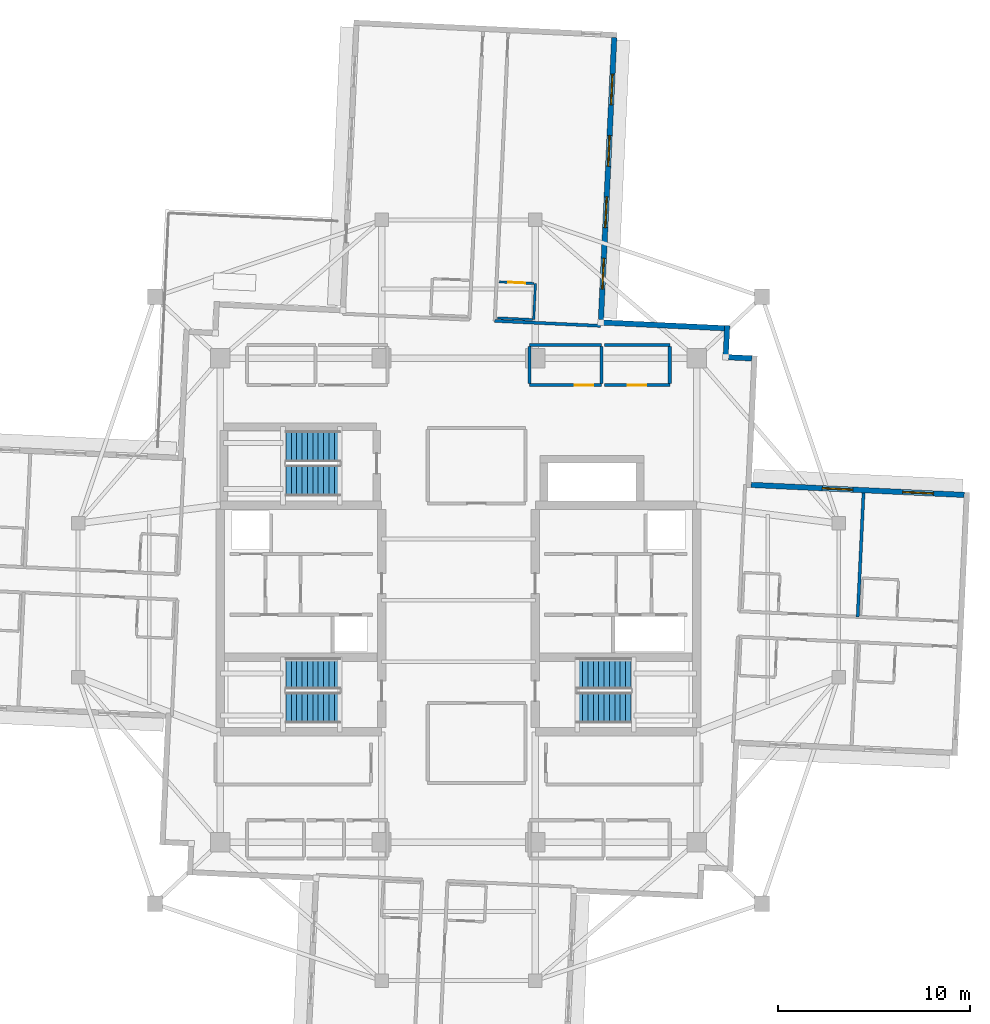
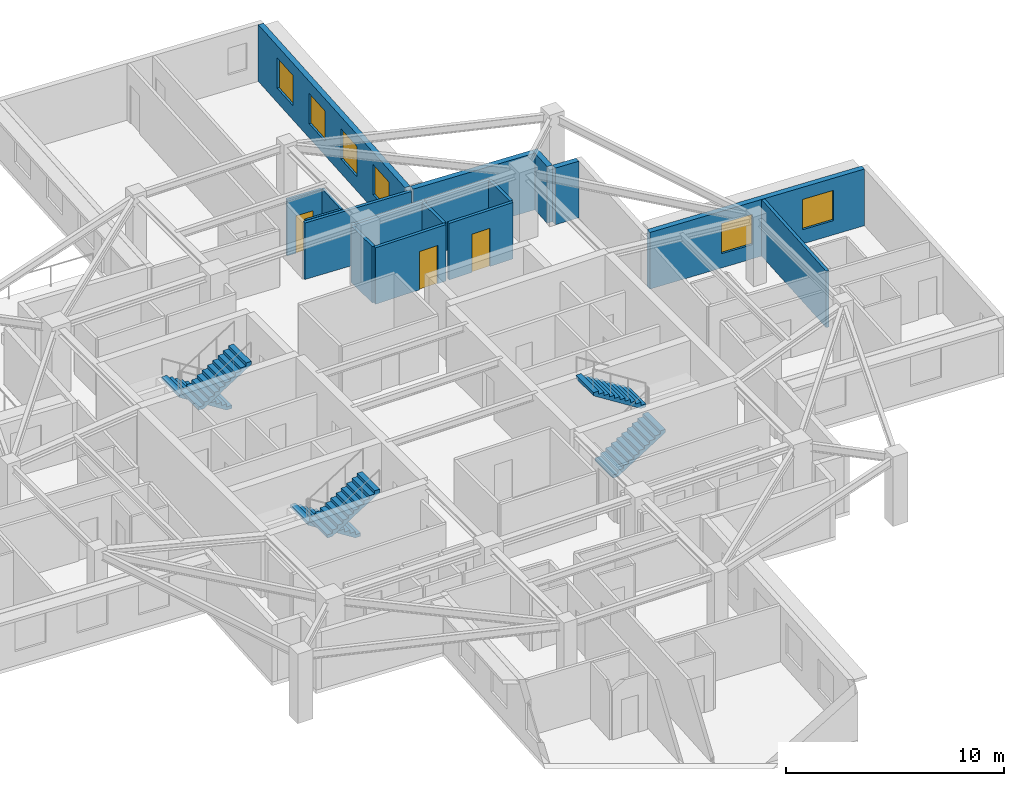
# One storey, part 8 of 12: 17 walls, 6 stair flights, 6 windows, 3 doors, 9 openings, 3 elements without a shape of their own.
"""IFC4 building model written with IfcOpenShell, lengths in metres."""

from ifc_helpers import new_model, si_unit, direction, frame, frame_2d, origin, place, context, subcontext, project, spatial, polyline, rectangle, outline, extrude, material, layer, layer_set, type_object, element, fill, aggregate, save


model = new_model("IFC4")

# Units and contexts
model_context = context("Model", 3, precision=1e-05, world=origin(), true_north=direction((0.0, 1.0)))
body_context = subcontext(model_context, "Body", "Model", "MODEL_VIEW")
ifc_project = project(units=[si_unit("LENGTHUNIT", "METRE"), si_unit("AREAUNIT", "SQUARE_METRE"), si_unit("VOLUMEUNIT", "CUBIC_METRE"), si_unit("PLANEANGLEUNIT", "RADIAN"), si_unit("MASSUNIT", "GRAM", prefix="KILO")], contexts=[model_context])

# Site, building, storey
site_placement = place(None, origin())
site = spatial("IfcSite", under=ifc_project, at=site_placement, CompositionType="ELEMENT")
building_placement = place(site_placement, origin())
building = spatial("IfcBuilding", under=site, at=building_placement, Name="Qingluan Cross Belvedere", CompositionType="ELEMENT")
storey_placement = place(building_placement, frame((0.0, 0.0, 253.800048828125)))
storey = spatial("IfcBuildingStorey", under=building, at=storey_placement, Name="L63", CompositionType="ELEMENT", Elevation=253.800048828125)

# Wall, opening, door
ifc_material_1 = material(Name="Gypsum plasterboard on steel stud acoustic partition", Category="steel")
ifc_layer_1 = layer(ifc_material_1, 0.159912109375, Name="CorridorPartition_160")
ifc_layer_set_1 = layer_set([ifc_layer_1], Name="Gypsum plasterboard on steel stud acoustic partition")
wall_type_1 = type_object("IfcWallType", Name="CorridorPartition_160", PredefinedType="PARTITIONING", material=ifc_layer_set_1)
wall_1_placement = place(storey_placement, frame((3.699951171875, 11.199951171875, 0.0), z_axis=(0.0, 0.0, 1.0), x_axis=(1.0, 0.0, 0.0)))
wall_1 = element("IfcWall", 1, at=wall_1_placement, inside=storey, type_object=wall_type_1, Name="Partition L63:q_ne1:S", PredefinedType="PARTITIONING", context=body_context, shape_type="SweptSolid", body=[
    extrude(rectangle(XDim=3.75, YDim=0.159912109375, at=frame_2d((1.875, 0.0))), origin(), (0.0, 0.0, 1.0), 3.169921875),
])
opening_1_placement = place(wall_1_placement, frame((2.344970703125, 0.0, 0.0)))
opening_1 = element("IfcOpeningElement", 2, at=opening_1_placement, cuts=wall_1, Name="Opening GD-10", PredefinedType="OPENING", context=body_context, shape_type="SweptSolid", body=[
    extrude(rectangle(XDim=0.9599609375, YDim=2.14990234375, at=frame_2d((0.47998046875, 1.074951171875))), frame((0.0, 0.08984375, 0.0), z_axis=(0.0, -1.0, 0.0), x_axis=(1.0, 0.0, 0.0)), (0.0, 0.0, 1.0), 0.179931640625),
])
ifc_material_2 = material(Name="Timber oak fire-rated acoustic guestroom door", Category="wood")
door_type_1 = type_object("IfcDoorType", Name="GuestEntryDoor_FD60", OperationType="NOTDEFINED", PredefinedType="DOOR", material=ifc_material_2)
door_1_placement = place(opening_1_placement, origin())
door_1 = element("IfcDoor", 3, at=door_1_placement, inside=storey, type_object=door_type_1, Name="Cloud seminar hall L63 door", OperationType="SINGLE_SWING_RIGHT", OverallHeight=2.14990234375, OverallWidth=0.9599609375, PredefinedType="DOOR", context=body_context, shape_type="SweptSolid", body=[
    extrude(rectangle(XDim=0.9599609375, YDim=2.14990234375, at=frame_2d((0.47998046875, 1.074951171875))), frame((0.0, 0.02490234375, 0.0), z_axis=(0.0, -1.0, 0.0), x_axis=(1.0, 0.0, 0.0)), (0.0, 0.0, 1.0), 0.050048828125),
])
fill(opening_1, door_1)

# Walls
wall_2_placement = place(storey_placement, frame((3.699951171875, 13.300048828125, 0.0), z_axis=(0.0, 0.0, 1.0), x_axis=(1.0, 0.0, 0.0)))
element("IfcWall", 4, at=wall_2_placement, inside=storey, type_object=wall_type_1, Name="Partition L63:q_ne1:N", PredefinedType="PARTITIONING", context=body_context, shape_type="SweptSolid", body=[
    extrude(rectangle(XDim=3.75, YDim=0.159912109375, at=frame_2d((1.875, 0.0))), origin(), (0.0, 0.0, 1.0), 3.169921875),
])
for number, where, z_axis, x_axis, name in (
    (5, (3.699951171875, 11.284912109375, 0.0), (0.0, 0.0, 1.0), (0.0, 1.0, 0.0), "Partition L63:q_ne1:W"),
    (6, (7.449951171875, 11.284912109375, 0.0), (0.0, 0.0, 1.0), (0.0, 1.0, 0.0), "Partition L63:q_ne1:E"),
):
    element("IfcWall", number, at=place(storey_placement, frame(where, z_axis=z_axis, x_axis=x_axis)), inside=storey, type_object=wall_type_1, Name=name, PredefinedType="PARTITIONING", context=body_context, shape_type="SweptSolid", body=[
        extrude(rectangle(XDim=1.93017578125, YDim=0.159912109375, at=frame_2d((0.965087890625, 0.0))), origin(), (0.0, 0.0, 1.0), 3.169921875),
    ])

# Wall, opening, door
wall_3_placement = place(storey_placement, frame((7.610107421875, 11.199951171875, 0.0), z_axis=(0.0, 0.0, 1.0), x_axis=(1.0, 0.0, 0.0)))
wall_3 = element("IfcWall", 7, at=wall_3_placement, inside=storey, type_object=wall_type_1, Name="Partition L63:q_ne2:S", PredefinedType="PARTITIONING", context=body_context, shape_type="SweptSolid", body=[
    extrude(rectangle(XDim=3.389892578125, YDim=0.159912109375, at=frame_2d((1.69482421875, 0.0))), origin(), (0.0, 0.0, 1.0), 3.169921875),
])
opening_2_placement = place(wall_3_placement, frame((1.215087890625, 0.0, 0.0)))
opening_2 = element("IfcOpeningElement", 8, at=opening_2_placement, cuts=wall_3, Name="Opening GD-10", PredefinedType="OPENING", context=body_context, shape_type="SweptSolid", body=[
    extrude(rectangle(XDim=0.9599609375, YDim=2.14990234375, at=frame_2d((0.47998046875, 1.074951171875))), frame((0.0, 0.08984375, 0.0), z_axis=(0.0, -1.0, 0.0), x_axis=(1.0, 0.0, 0.0)), (0.0, 0.0, 1.0), 0.179931640625),
])
door_2_placement = place(opening_2_placement, origin())
door_2 = element("IfcDoor", 9, at=door_2_placement, inside=storey, type_object=door_type_1, Name="Northeast tea salon L63 door", OperationType="SINGLE_SWING_LEFT", OverallHeight=2.14990234375, OverallWidth=0.9599609375, PredefinedType="DOOR", context=body_context, shape_type="SweptSolid", body=[
    extrude(rectangle(XDim=0.9599609375, YDim=2.14990234375, at=frame_2d((0.47998046875, 1.074951171875))), frame((0.0, 0.02490234375, 0.0), z_axis=(0.0, -1.0, 0.0), x_axis=(1.0, 0.0, 0.0)), (0.0, 0.0, 1.0), 0.050048828125),
])
fill(opening_2, door_2)

# Walls
wall_4_placement = place(storey_placement, frame((7.610107421875, 13.300048828125, 0.0), z_axis=(0.0, 0.0, 1.0), x_axis=(1.0, 0.0, 0.0)))
element("IfcWall", 10, at=wall_4_placement, inside=storey, type_object=wall_type_1, Name="Partition L63:q_ne2:N", PredefinedType="PARTITIONING", context=body_context, shape_type="SweptSolid", body=[
    extrude(rectangle(XDim=3.389892578125, YDim=0.159912109375, at=frame_2d((1.69482421875, 0.0))), origin(), (0.0, 0.0, 1.0), 3.169921875),
])
wall_5_placement = place(storey_placement, frame((11.0, 11.284912109375, 0.0), z_axis=(0.0, 0.0, 1.0), x_axis=(0.0, 1.0, 0.0)))
element("IfcWall", 11, at=wall_5_placement, inside=storey, type_object=wall_type_1, Name="Partition L63:q_ne2:E", PredefinedType="PARTITIONING", context=body_context, shape_type="SweptSolid", body=[
    extrude(rectangle(XDim=1.93017578125, YDim=0.159912109375, at=frame_2d((0.965087890625, 0.0))), origin(), (0.0, 0.0, 1.0), 3.169921875),
])
wall_6_placement = place(storey_placement, frame((20.78271484375, -0.85986328125, 0.0), z_axis=(0.0, 0.0, 1.0), x_axis=(0.047072543107, 0.998891473427, 0.0)))
element("IfcWall", 12, at=wall_6_placement, inside=storey, type_object=wall_type_1, Name="Partition L63:E:d0_0", PredefinedType="PARTITIONING", context=body_context, shape_type="SweptSolid", body=[
    extrude(rectangle(XDim=6.451904296875, YDim=0.159912109375, at=frame_2d((3.22607421875, 0.0))), origin(), (0.0, 0.0, 1.0), 3.169921875),
])
wall_7_placement = place(storey_placement, frame((1.887451171875, 14.547119140625, 0.0), z_axis=(0.0, 0.0, 1.0), x_axis=(0.998889946563, -0.04710493239, 0.0)))
element("IfcWall", 13, at=wall_7_placement, inside=storey, type_object=wall_type_1, Name="Partition L63:N:s0", PredefinedType="PARTITIONING", context=body_context, shape_type="SweptSolid", body=[
    extrude(rectangle(XDim=5.519775390625, YDim=0.159912109375, at=frame_2d((2.759765625, 0.0))), origin(), (0.0, 0.0, 1.0), 3.169921875),
])

# Wall, opening, door
ifc_material_3 = material(Name="Moisture-resistant gypsum board lining")
ifc_layer_2 = layer(ifc_material_3, 0.1201171875, Name="EnsuiteWetPartition_120")
ifc_layer_set_2 = layer_set([ifc_layer_2], Name="Moisture-resistant gypsum board lining")
wall_type_2 = type_object("IfcWallType", Name="EnsuiteWetPartition_120", PredefinedType="PARTITIONING", material=ifc_layer_set_2)
wall_8_placement = place(storey_placement, frame((2.123291015625, 16.578369140625, 0.0), z_axis=(0.0, 0.0, 1.0), x_axis=(0.998891083954, -0.047080807099, 0.0)))
wall_8 = element("IfcWall", 14, at=wall_8_placement, inside=storey, type_object=wall_type_2, Name="Partition L63:N:bs0_0", PredefinedType="PARTITIONING", context=body_context, shape_type="SweptSolid", body=[
    extrude(rectangle(XDim=1.820068359375, YDim=0.1201171875, at=frame_2d((0.91015625, 0.0))), origin(), (0.0, 0.0, 1.0), 3.169921875),
])
opening_3_placement = place(wall_8_placement, frame((0.469970703125, 0.0, 0.0)))
opening_3 = element("IfcOpeningElement", 15, at=opening_3_placement, cuts=wall_8, Name="Opening BD-09", PredefinedType="OPENING", context=body_context, shape_type="SweptSolid", body=[
    extrude(rectangle(XDim=0.8798828125, YDim=2.10009765625, at=frame_2d((0.43994140625, 1.050048828125))), frame((0.0, 0.070068359375, 0.0), z_axis=(0.0, -1.0, 0.0), x_axis=(1.0, 0.0, 0.0)), (0.0, 0.0, 1.0), 0.14013671875),
])
ifc_material_4 = material(Name="Moisture-sealed timber en-suite door", Category="wood")
door_type_2 = type_object("IfcDoorType", Name="BathroomDoor_880", OperationType="NOTDEFINED", PredefinedType="DOOR", material=ifc_material_4)
door_3_placement = place(opening_3_placement, origin())
door_3 = element("IfcDoor", 16, at=door_3_placement, inside=storey, type_object=door_type_2, Name="Bathroom door 6309", OperationType="SINGLE_SWING_RIGHT", OverallHeight=2.10009765625, OverallWidth=0.8798828125, PredefinedType="DOOR", context=body_context, shape_type="SweptSolid", body=[
    extrude(rectangle(XDim=0.8798828125, YDim=2.10009765625, at=frame_2d((0.43994140625, 1.050048828125))), frame((0.0, 0.02490234375, 0.0), z_axis=(0.0, -1.0, 0.0), x_axis=(1.0, 0.0, 0.0)), (0.0, 0.0, 1.0), 0.050048828125),
])
fill(opening_3, door_3)

# Walls
wall_9_placement = place(storey_placement, frame((2.03466796875, 14.700439453125, 0.0), z_axis=(0.0, 0.0, 1.0), x_axis=(0.998891083954, -0.047080807099, 0.0)))
element("IfcWall", 17, at=wall_9_placement, inside=storey, type_object=wall_type_2, Name="Partition L63:N:bw0_0", PredefinedType="PARTITIONING", context=body_context, shape_type="SweptSolid", body=[
    extrude(rectangle(XDim=1.820068359375, YDim=0.1201171875, at=frame_2d((0.91015625, 0.0))), origin(), (0.0, 0.0, 1.0), 3.169921875),
])
wall_10_placement = place(storey_placement, frame((3.917724609375, 14.61181640625, 0.0), z_axis=(0.0, 0.0, 1.0), x_axis=(0.04701595088, 0.998894138717, 0.0)))
element("IfcWall", 18, at=wall_10_placement, inside=storey, type_object=wall_type_2, Name="Partition L63:N:bn0_0", PredefinedType="PARTITIONING", context=body_context, shape_type="SweptSolid", body=[
    extrude(rectangle(XDim=1.8798828125, YDim=0.1201171875, at=frame_2d((0.93994140625, 0.0))), origin(), (0.0, 0.0, 1.0), 3.169921875),
])

# Wall, openings, windows
ifc_material_5 = material(Name="Precast concrete C45", Category="concrete")
ifc_layer_3 = layer(ifc_material_5, 0.280029296875, Name="PrecastFacadeWall_280")
ifc_layer_set_3 = layer_set([ifc_layer_3], Name="Precast concrete C45")
wall_type_3 = type_object("IfcWallType", Name="PrecastFacadeWall_280", PredefinedType="STANDARD", material=ifc_layer_set_3)
wall_11_placement = place(storey_placement, frame((26.32763671875, 5.48583984375, 0.0), z_axis=(0.0, 0.0, 1.0), x_axis=(-0.998889582088, 0.047112660681, 0.0)))
wall_11 = element("IfcWall", 19, at=wall_11_placement, inside=storey, type_object=wall_type_3, Name="Facade wall L63-EB", PredefinedType="STANDARD", context=body_context, shape_type="SweptSolid", body=[
    extrude(rectangle(XDim=11.099853515625, YDim=0.280029296875, at=frame_2d((5.5498046875, 0.0))), origin(), (0.0, 0.0, 1.0), 3.179931640625),
])
opening_4_placement = place(wall_11_placement, frame((1.60009765625, 0.0, 0.800048828125)))
opening_4 = element("IfcOpeningElement", 20, at=opening_4_placement, cuts=wall_11, Name="Opening W-04", PredefinedType="OPENING", context=body_context, shape_type="SweptSolid", body=[
    extrude(rectangle(XDim=1.60009765625, YDim=1.699951171875, at=frame_2d((0.800048828125, 0.85009765625))), frame((0.0, 0.14990234375, 0.0), z_axis=(0.0, -1.0, 0.0), x_axis=(1.0, 0.0, 0.0)), (0.0, 0.0, 1.0), 0.300048828125),
])
opening_5_placement = place(wall_11_placement, frame((5.800048828125, 0.0, 0.800048828125)))
opening_5 = element("IfcOpeningElement", 21, at=opening_5_placement, cuts=wall_11, Name="Opening W-04", PredefinedType="OPENING", context=body_context, shape_type="SweptSolid", body=[
    extrude(rectangle(XDim=1.60009765625, YDim=1.699951171875, at=frame_2d((0.800048828125, 0.85009765625))), frame((0.0, 0.14990234375, 0.0), z_axis=(0.0, -1.0, 0.0), x_axis=(1.0, 0.0, 0.0)), (0.0, 0.0, 1.0), 0.300048828125),
])
ifc_material_6 = material(Name="Thermally broken triple Low-E glass in aluminium frame", Category="aluminium")
window_type = type_object("IfcWindowType", Name="SuiteCornerWin_1600x1700", PartitioningType="SINGLE_PANEL", PredefinedType="WINDOW", material=ifc_material_6)
window_1_placement = place(opening_4_placement, origin())
window_1 = element("IfcWindow", 22, at=window_1_placement, inside=storey, type_object=window_type, Name="Ribbon window L63-EB-1", OverallHeight=1.699951171875, OverallWidth=1.60009765625, PartitioningType="SINGLE_PANEL", PredefinedType="WINDOW", context=body_context, shape_type="SweptSolid", body=[
    extrude(rectangle(XDim=1.60009765625, YDim=1.699951171875, at=frame_2d((0.800048828125, 0.85009765625))), frame((0.0, 0.030029296875, 0.0), z_axis=(0.0, -1.0, 0.0), x_axis=(1.0, 0.0, 0.0)), (0.0, 0.0, 1.0), 0.06005859375),
])
fill(opening_4, window_1)
window_2_placement = place(opening_5_placement, origin())
window_2 = element("IfcWindow", 23, at=window_2_placement, inside=storey, type_object=window_type, Name="Ribbon window L63-EB-2", OverallHeight=1.699951171875, OverallWidth=1.60009765625, PartitioningType="SINGLE_PANEL", PredefinedType="WINDOW", context=body_context, shape_type="SweptSolid", body=[
    extrude(rectangle(XDim=1.60009765625, YDim=1.699951171875, at=frame_2d((0.800048828125, 0.85009765625))), frame((0.0, 0.030029296875, 0.0), z_axis=(0.0, -1.0, 0.0), x_axis=(1.0, 0.0, 0.0)), (0.0, 0.0, 1.0), 0.06005859375),
])
fill(opening_5, window_2)

wall_12_placement = place(storey_placement, frame((7.416259765625, 14.60693359375, 0.0), z_axis=(0.0, 0.0, 1.0), x_axis=(0.047117735191, 0.998889342735, 0.0)))
wall_12 = element("IfcWall", 24, at=wall_12_placement, inside=storey, type_object=wall_type_3, Name="Facade wall L63-NA", PredefinedType="STANDARD", context=body_context, shape_type="SweptSolid", body=[
    extrude(rectangle(XDim=14.699951171875, YDim=0.280029296875, at=frame_2d((7.35009765625, 0.0))), origin(), (0.0, 0.0, 1.0), 3.179931640625),
])
opening_6_placement = place(wall_12_placement, frame((1.60009765625, 0.0, 0.800048828125)))
opening_6 = element("IfcOpeningElement", 25, at=opening_6_placement, cuts=wall_12, Name="Opening W-04", PredefinedType="OPENING", context=body_context, shape_type="SweptSolid", body=[
    extrude(rectangle(XDim=1.60009765625, YDim=1.699951171875, at=frame_2d((0.800048828125, 0.85009765625))), frame((0.0, 0.14990234375, 0.0), z_axis=(0.0, -1.0, 0.0), x_axis=(1.0, 0.0, 0.0)), (0.0, 0.0, 1.0), 0.300048828125),
])
opening_7_placement = place(wall_12_placement, frame((4.800048828125, 0.0, 0.800048828125)))
opening_7 = element("IfcOpeningElement", 26, at=opening_7_placement, cuts=wall_12, Name="Opening W-04", PredefinedType="OPENING", context=body_context, shape_type="SweptSolid", body=[
    extrude(rectangle(XDim=1.60009765625, YDim=1.699951171875, at=frame_2d((0.800048828125, 0.85009765625))), frame((0.0, 0.14990234375, 0.0), z_axis=(0.0, -1.0, 0.0), x_axis=(1.0, 0.0, 0.0)), (0.0, 0.0, 1.0), 0.300048828125),
])
opening_8_placement = place(wall_12_placement, frame((8.0, 0.0, 0.800048828125)))
opening_8 = element("IfcOpeningElement", 27, at=opening_8_placement, cuts=wall_12, Name="Opening W-04", PredefinedType="OPENING", context=body_context, shape_type="SweptSolid", body=[
    extrude(rectangle(XDim=1.60009765625, YDim=1.699951171875, at=frame_2d((0.800048828125, 0.85009765625))), frame((0.0, 0.14990234375, 0.0), z_axis=(0.0, -1.0, 0.0), x_axis=(1.0, 0.0, 0.0)), (0.0, 0.0, 1.0), 0.300048828125),
])
opening_9_placement = place(wall_12_placement, frame((11.199951171875, 0.0, 0.800048828125)))
opening_9 = element("IfcOpeningElement", 28, at=opening_9_placement, cuts=wall_12, Name="Opening W-04", PredefinedType="OPENING", context=body_context, shape_type="SweptSolid", body=[
    extrude(rectangle(XDim=1.60009765625, YDim=1.699951171875, at=frame_2d((0.800048828125, 0.85009765625))), frame((0.0, 0.14990234375, 0.0), z_axis=(0.0, -1.0, 0.0), x_axis=(1.0, 0.0, 0.0)), (0.0, 0.0, 1.0), 0.300048828125),
])
window_3_placement = place(opening_6_placement, origin())
window_3 = element("IfcWindow", 29, at=window_3_placement, inside=storey, type_object=window_type, Name="Ribbon window L63-NA-1", OverallHeight=1.699951171875, OverallWidth=1.60009765625, PartitioningType="SINGLE_PANEL", PredefinedType="WINDOW", context=body_context, shape_type="SweptSolid", body=[
    extrude(rectangle(XDim=1.60009765625, YDim=1.699951171875, at=frame_2d((0.800048828125, 0.85009765625))), frame((0.0, 0.030029296875, 0.0), z_axis=(0.0, -1.0, 0.0), x_axis=(1.0, 0.0, 0.0)), (0.0, 0.0, 1.0), 0.06005859375),
])
fill(opening_6, window_3)
window_4_placement = place(opening_7_placement, origin())
window_4 = element("IfcWindow", 30, at=window_4_placement, inside=storey, type_object=window_type, Name="Ribbon window L63-NA-2", OverallHeight=1.699951171875, OverallWidth=1.60009765625, PartitioningType="SINGLE_PANEL", PredefinedType="WINDOW", context=body_context, shape_type="SweptSolid", body=[
    extrude(rectangle(XDim=1.60009765625, YDim=1.699951171875, at=frame_2d((0.800048828125, 0.85009765625))), frame((0.0, 0.030029296875, 0.0), z_axis=(0.0, -1.0, 0.0), x_axis=(1.0, 0.0, 0.0)), (0.0, 0.0, 1.0), 0.06005859375),
])
fill(opening_7, window_4)
window_5_placement = place(opening_8_placement, origin())
window_5 = element("IfcWindow", 31, at=window_5_placement, inside=storey, type_object=window_type, Name="Ribbon window L63-NA-3", OverallHeight=1.699951171875, OverallWidth=1.60009765625, PartitioningType="SINGLE_PANEL", PredefinedType="WINDOW", context=body_context, shape_type="SweptSolid", body=[
    extrude(rectangle(XDim=1.60009765625, YDim=1.699951171875, at=frame_2d((0.800048828125, 0.85009765625))), frame((0.0, 0.030029296875, 0.0), z_axis=(0.0, -1.0, 0.0), x_axis=(1.0, 0.0, 0.0)), (0.0, 0.0, 1.0), 0.06005859375),
])
fill(opening_8, window_5)
window_6_placement = place(opening_9_placement, origin())
window_6 = element("IfcWindow", 32, at=window_6_placement, inside=storey, type_object=window_type, Name="Ribbon window L63-NA-4", OverallHeight=1.699951171875, OverallWidth=1.60009765625, PartitioningType="SINGLE_PANEL", PredefinedType="WINDOW", context=body_context, shape_type="SweptSolid", body=[
    extrude(rectangle(XDim=1.60009765625, YDim=1.699951171875, at=frame_2d((0.800048828125, 0.85009765625))), frame((0.0, 0.030029296875, 0.0), z_axis=(0.0, -1.0, 0.0), x_axis=(1.0, 0.0, 0.0)), (0.0, 0.0, 1.0), 0.06005859375),
])
fill(opening_9, window_6)

# Walls
wall_13_placement = place(storey_placement, frame((15.270263671875, 12.5947265625, 0.0), z_axis=(0.0, 0.0, 1.0), x_axis=(-0.998893795343, 0.047023245574, 0.0)))
element("IfcWall", 33, at=wall_13_placement, inside=storey, type_object=wall_type_3, Name="Corner wall L63-NE2", PredefinedType="STANDARD", context=body_context, shape_type="SweptSolid", body=[
    extrude(rectangle(XDim=1.22021484375, YDim=0.280029296875, at=frame_2d((0.610107421875, 0.0))), origin(), (0.0, 0.0, 1.0), 3.179931640625),
])
wall_14_placement = place(storey_placement, frame((13.918212890625, 12.798583984375, 0.0), z_axis=(0.0, 0.0, 1.0), x_axis=(0.047201688113, 0.99888537913, 0.0)))
element("IfcWall", 34, at=wall_14_placement, inside=storey, type_object=wall_type_3, Name="Corner wall L63-NE3", PredefinedType="STANDARD", context=body_context, shape_type="SweptSolid", body=[
    extrude(rectangle(XDim=1.5, YDim=0.280029296875, at=frame_2d((0.75, 0.0))), origin(), (0.0, 0.0, 1.0), 3.179931640625),
])
wall_15_placement = place(storey_placement, frame((13.842529296875, 14.16357421875, 0.0), z_axis=(0.0, 0.0, 1.0), x_axis=(-0.998889082162, 0.047123258997, 0.0)))
element("IfcWall", 35, at=wall_15_placement, inside=storey, type_object=wall_type_3, Name="Corner wall L63-NE4", PredefinedType="STANDARD", context=body_context, shape_type="SweptSolid", body=[
    extrude(rectangle(XDim=6.300048828125, YDim=0.280029296875, at=frame_2d((3.14990234375, 0.0))), origin(), (0.0, 0.0, 1.0), 3.179931640625),
])

# Stair, stair flights
ifc_material_7 = material(Name="Concrete C40", Category="concrete")
stair_type = type_object("IfcStairType", Name="CoreDoglegStair_1620", PredefinedType="HALF_TURN_STAIR", material=ifc_material_7)
stair_1_placement = place(storey_placement, origin())
stair_1 = element("IfcStair", 36, at=stair_1_placement, inside=storey, type_object=stair_type, Name="L63 ST1", PredefinedType="HALF_TURN_STAIR")
ifc_material_8 = material(Name="Concrete C40", Category="concrete")
ifc_layer_4 = layer(ifc_material_8, 0.179931640625, Name="StairFlight_RC180")
ifc_layer_set_4 = layer_set([ifc_layer_4], Name="Concrete C40")
stair_flight_type = type_object("IfcStairFlightType", Name="StairFlight_RC180", PredefinedType="STRAIGHT", material=ifc_layer_set_4)
stair_flight_1_placement = place(storey_placement, frame((-6.179931640625, -3.81005859375, 0.0), z_axis=(0.0, 0.0, 1.0), x_axis=(-1.0, 0.0, 0.0)))
stair_flight_1 = element("IfcStairFlight", 37, at=stair_flight_1_placement, type_object=stair_flight_type, Name="ST1 flight 1", NumberOfRisers=11, NumberOfTreads=10, PredefinedType="STRAIGHT", RiserHeight=0.177272727, TreadLength=0.28, context=body_context, shape_type="SweptSolid", body=[
    extrude(outline(polyline([(0.0, 0.0), (0.0, 0.17724609375), (0.280029296875, 0.17724609375), (0.280029296875, 0.3544921875), (0.56005859375, 0.3544921875), (0.56005859375, 0.53173828125), (0.840087890625, 0.53173828125), (0.840087890625, 0.708984375), (1.1201171875, 0.708984375), (1.1201171875, 0.886474609375), (1.39990234375, 0.886474609375), (1.39990234375, 1.063720703125), (1.679931640625, 1.063720703125), (1.679931640625, 1.240966796875), (1.9599609375, 1.240966796875), (1.9599609375, 1.418212890625), (2.239990234375, 1.418212890625), (2.239990234375, 1.595458984375), (2.52001953125, 1.595458984375), (2.52001953125, 1.772705078125), (2.800048828125, 1.772705078125), (2.800048828125, 1.949951171875), (2.800048828125, 1.59521484375), (0.2802734375, 0.0), (0.0, 0.0)])), frame((0.0, 0.81005859375, 0.0), z_axis=(0.0, -1.0, 0.0), x_axis=(1.0, 0.0, 0.0)), (0.0, 0.0, 1.0), 1.6201171875),
])
stair_flight_2_placement = place(storey_placement, frame((-8.97998046875, -5.590087890625, 1.949951171875), z_axis=(0.0, 0.0, 1.0), x_axis=(1.0, 0.0, 0.0)))
stair_flight_2 = element("IfcStairFlight", 38, at=stair_flight_2_placement, type_object=stair_flight_type, Name="ST1 flight 2", NumberOfRisers=11, NumberOfTreads=10, PredefinedType="STRAIGHT", RiserHeight=0.177272727, TreadLength=0.28, context=body_context, shape_type="SweptSolid", body=[
    extrude(outline(polyline([(0.0, 0.0), (0.0, 0.17724609375), (0.280029296875, 0.17724609375), (0.280029296875, 0.3544921875), (0.56005859375, 0.3544921875), (0.56005859375, 0.53173828125), (0.840087890625, 0.53173828125), (0.840087890625, 0.708984375), (1.1201171875, 0.708984375), (1.1201171875, 0.886474609375), (1.39990234375, 0.886474609375), (1.39990234375, 1.063720703125), (1.679931640625, 1.063720703125), (1.679931640625, 1.240966796875), (1.9599609375, 1.240966796875), (1.9599609375, 1.418212890625), (2.239990234375, 1.418212890625), (2.239990234375, 1.595458984375), (2.52001953125, 1.595458984375), (2.52001953125, 1.772705078125), (2.800048828125, 1.772705078125), (2.800048828125, 1.949951171875), (2.800048828125, 1.59521484375), (0.2802734375, 0.0), (0.0, 0.0)])), frame((0.0, 0.81005859375, 0.0), z_axis=(0.0, -1.0, 0.0), x_axis=(1.0, 0.0, 0.0)), (0.0, 0.0, 1.0), 1.6201171875),
])
aggregate(stair_1, [stair_flight_1, stair_flight_2])

stair_2_placement = place(storey_placement, origin())
stair_2 = element("IfcStair", 39, at=stair_2_placement, inside=storey, type_object=stair_type, Name="L63 ST2", PredefinedType="HALF_TURN_STAIR")
stair_flight_3_placement = place(storey_placement, frame((6.179931640625, -5.590087890625, 0.0), z_axis=(0.0, 0.0, 1.0), x_axis=(1.0, 0.0, 0.0)))
stair_flight_3 = element("IfcStairFlight", 40, at=stair_flight_3_placement, type_object=stair_flight_type, Name="ST2 flight 1", NumberOfRisers=11, NumberOfTreads=10, PredefinedType="STRAIGHT", RiserHeight=0.177272727, TreadLength=0.28, context=body_context, shape_type="SweptSolid", body=[
    extrude(outline(polyline([(0.0, 0.0), (0.0, 0.17724609375), (0.280029296875, 0.17724609375), (0.280029296875, 0.3544921875), (0.56005859375, 0.3544921875), (0.56005859375, 0.53173828125), (0.840087890625, 0.53173828125), (0.840087890625, 0.708984375), (1.1201171875, 0.708984375), (1.1201171875, 0.886474609375), (1.39990234375, 0.886474609375), (1.39990234375, 1.063720703125), (1.679931640625, 1.063720703125), (1.679931640625, 1.240966796875), (1.9599609375, 1.240966796875), (1.9599609375, 1.418212890625), (2.239990234375, 1.418212890625), (2.239990234375, 1.595458984375), (2.52001953125, 1.595458984375), (2.52001953125, 1.772705078125), (2.800048828125, 1.772705078125), (2.800048828125, 1.949951171875), (2.800048828125, 1.59521484375), (0.2802734375, 0.0), (0.0, 0.0)])), frame((0.0, 0.81005859375, 0.0), z_axis=(0.0, -1.0, 0.0), x_axis=(1.0, 0.0, 0.0)), (0.0, 0.0, 1.0), 1.6201171875),
])
stair_flight_4_placement = place(storey_placement, frame((8.97998046875, -3.81005859375, 1.949951171875), z_axis=(0.0, 0.0, 1.0), x_axis=(-1.0, 0.0, 0.0)))
stair_flight_4 = element("IfcStairFlight", 41, at=stair_flight_4_placement, type_object=stair_flight_type, Name="ST2 flight 2", NumberOfRisers=11, NumberOfTreads=10, PredefinedType="STRAIGHT", RiserHeight=0.177272727, TreadLength=0.28, context=body_context, shape_type="SweptSolid", body=[
    extrude(outline(polyline([(0.0, 0.0), (0.0, 0.17724609375), (0.280029296875, 0.17724609375), (0.280029296875, 0.3544921875), (0.56005859375, 0.3544921875), (0.56005859375, 0.53173828125), (0.840087890625, 0.53173828125), (0.840087890625, 0.708984375), (1.1201171875, 0.708984375), (1.1201171875, 0.886474609375), (1.39990234375, 0.886474609375), (1.39990234375, 1.063720703125), (1.679931640625, 1.063720703125), (1.679931640625, 1.240966796875), (1.9599609375, 1.240966796875), (1.9599609375, 1.418212890625), (2.239990234375, 1.418212890625), (2.239990234375, 1.595458984375), (2.52001953125, 1.595458984375), (2.52001953125, 1.772705078125), (2.800048828125, 1.772705078125), (2.800048828125, 1.949951171875), (2.800048828125, 1.59521484375), (0.2802734375, 0.0), (0.0, 0.0)])), frame((0.0, 0.81005859375, 0.0), z_axis=(0.0, -1.0, 0.0), x_axis=(1.0, 0.0, 0.0)), (0.0, 0.0, 1.0), 1.6201171875),
])
aggregate(stair_2, [stair_flight_3, stair_flight_4])

stair_3_placement = place(storey_placement, origin())
stair_3 = element("IfcStair", 42, at=stair_3_placement, inside=storey, type_object=stair_type, Name="L63 ST3", PredefinedType="HALF_TURN_STAIR")
stair_flight_5_placement = place(storey_placement, frame((-6.179931640625, 8.010009765625, 0.0), z_axis=(0.0, 0.0, 1.0), x_axis=(-1.0, 0.0, 0.0)))
stair_flight_5 = element("IfcStairFlight", 43, at=stair_flight_5_placement, type_object=stair_flight_type, Name="ST3 flight 1", NumberOfRisers=11, NumberOfTreads=10, PredefinedType="STRAIGHT", RiserHeight=0.177272727, TreadLength=0.28, context=body_context, shape_type="SweptSolid", body=[
    extrude(outline(polyline([(0.0, 0.0), (0.0, 0.17724609375), (0.280029296875, 0.17724609375), (0.280029296875, 0.3544921875), (0.56005859375, 0.3544921875), (0.56005859375, 0.53173828125), (0.840087890625, 0.53173828125), (0.840087890625, 0.708984375), (1.1201171875, 0.708984375), (1.1201171875, 0.886474609375), (1.39990234375, 0.886474609375), (1.39990234375, 1.063720703125), (1.679931640625, 1.063720703125), (1.679931640625, 1.240966796875), (1.9599609375, 1.240966796875), (1.9599609375, 1.418212890625), (2.239990234375, 1.418212890625), (2.239990234375, 1.595458984375), (2.52001953125, 1.595458984375), (2.52001953125, 1.772705078125), (2.800048828125, 1.772705078125), (2.800048828125, 1.949951171875), (2.800048828125, 1.59521484375), (0.2802734375, 0.0), (0.0, 0.0)])), frame((0.0, 0.81005859375, 0.0), z_axis=(0.0, -1.0, 0.0), x_axis=(1.0, 0.0, 0.0)), (0.0, 0.0, 1.0), 1.6201171875),
])
stair_flight_6_placement = place(storey_placement, frame((-8.97998046875, 6.22998046875, 1.949951171875), z_axis=(0.0, 0.0, 1.0), x_axis=(1.0, 0.0, 0.0)))
stair_flight_6 = element("IfcStairFlight", 44, at=stair_flight_6_placement, type_object=stair_flight_type, Name="ST3 flight 2", NumberOfRisers=11, NumberOfTreads=10, PredefinedType="STRAIGHT", RiserHeight=0.177272727, TreadLength=0.28, context=body_context, shape_type="SweptSolid", body=[
    extrude(outline(polyline([(0.0, 0.0), (0.0, 0.17724609375), (0.280029296875, 0.17724609375), (0.280029296875, 0.3544921875), (0.56005859375, 0.3544921875), (0.56005859375, 0.53173828125), (0.840087890625, 0.53173828125), (0.840087890625, 0.708984375), (1.1201171875, 0.708984375), (1.1201171875, 0.886474609375), (1.39990234375, 0.886474609375), (1.39990234375, 1.063720703125), (1.679931640625, 1.063720703125), (1.679931640625, 1.240966796875), (1.9599609375, 1.240966796875), (1.9599609375, 1.418212890625), (2.239990234375, 1.418212890625), (2.239990234375, 1.595458984375), (2.52001953125, 1.595458984375), (2.52001953125, 1.772705078125), (2.800048828125, 1.772705078125), (2.800048828125, 1.949951171875), (2.800048828125, 1.59521484375), (0.2802734375, 0.0), (0.0, 0.0)])), frame((0.0, 0.81005859375, 0.0), z_axis=(0.0, -1.0, 0.0), x_axis=(1.0, 0.0, 0.0)), (0.0, 0.0, 1.0), 1.6201171875),
])
aggregate(stair_3, [stair_flight_5, stair_flight_6])

save(model, "model.ifc")
